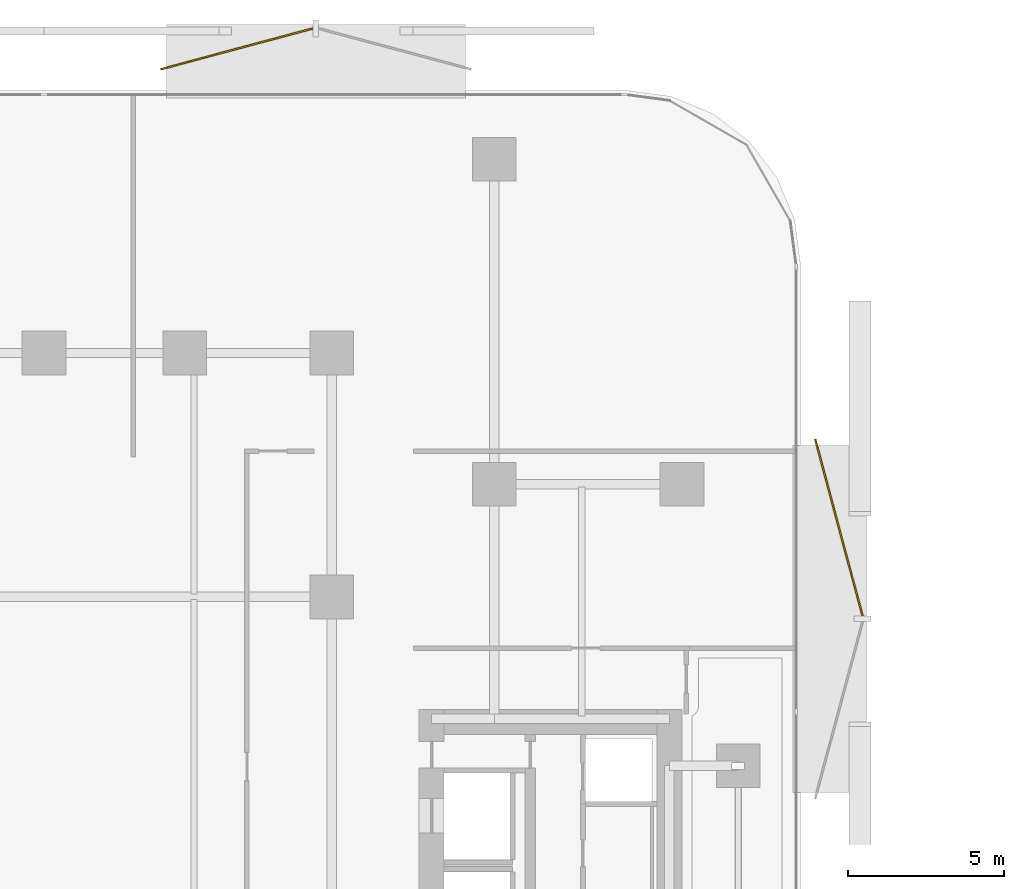
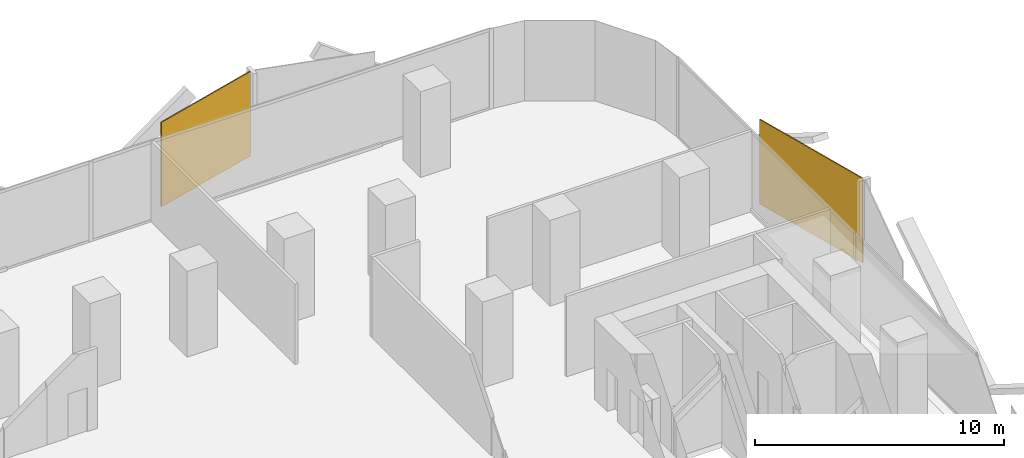
# One storey, part 16 of 16: 2 coverings.
"""IFC4 building model written with IfcOpenShell, lengths in metres."""

from ifc_helpers import new_model, si_unit, direction, frame, origin, origin_2d, place, context, subcontext, project, spatial, rectangle, extrude, material, layer, layer_set, type_object, element, save


model = new_model("IFC4")

# Units and contexts
model_context = context("Model", 3, precision=1e-05, world=origin(), true_north=direction((0.0, 1.0)))
body_context = subcontext(model_context, "Body", "Model", "MODEL_VIEW")
ifc_project = project(units=[si_unit("LENGTHUNIT", "METRE"), si_unit("AREAUNIT", "SQUARE_METRE"), si_unit("VOLUMEUNIT", "CUBIC_METRE"), si_unit("PLANEANGLEUNIT", "RADIAN"), si_unit("MASSUNIT", "GRAM", prefix="KILO")], contexts=[model_context])

# Site, building, storey
site_placement = place(None, origin())
site = spatial("IfcSite", under=ifc_project, at=site_placement, CompositionType="ELEMENT")
building_placement = place(site_placement, origin())
building = spatial("IfcBuilding", under=site, at=building_placement, Name="Khairoan Windgate Tower", CompositionType="ELEMENT")
storey_placement = place(building_placement, frame((0.0, 0.0, 26.0)))
storey = spatial("IfcBuildingStorey", under=building, at=storey_placement, Name="L06", CompositionType="ELEMENT", Elevation=26.0)

# Coverings
ifc_material = material(Name="Anodised Bronze Aluminium 6063-T6", Category="aluminium")
ifc_layer = layer(ifc_material, 0.054931640625, Name="Anodised Bronze Aluminium 6063-T6")
ifc_layer_set = layer_set([ifc_layer], Name="Anodised Bronze Aluminium 6063-T6")
covering_type = type_object("IfcCoveringType", Name="Perforated Bronze-Ceramic Folded Solar Screen Cladding BSC-1", PredefinedType="CLADDING", material=ifc_layer_set)
covering_1_placement = place(storey_placement, frame((6.169921875, 28.327392578125, -0.10009765625), z_axis=(0.0, 0.0, 1.0), x_axis=(0.965925826289, 0.258819045103, 0.0)))
element("IfcCovering", 1, at=covering_1_placement, inside=storey, type_object=covering_type, Name="L06 Folded Bronze Solar Screen Facet 6L", PredefinedType="CLADDING", context=body_context, shape_type="SweptSolid", body=[
    extrude(rectangle(XDim=5.04296875, YDim=0.054931640625, at=origin_2d()), origin(), (0.0, 0.0, 1.0), 4.139892578125),
])
covering_2_placement = place(storey_placement, frame((25.42236328125, 13.01318359375, -0.10009765625), z_axis=(0.0, 0.0, 1.0), x_axis=(0.258819045103, -0.965925826289, 0.0)))
element("IfcCovering", 2, at=covering_2_placement, inside=storey, type_object=covering_type, Name="L06 Folded Bronze Solar Screen Facet 7L", PredefinedType="CLADDING", context=body_context, shape_type="SweptSolid", body=[
    extrude(rectangle(XDim=5.85498046875, YDim=0.054931640625, at=origin_2d()), origin(), (0.0, 0.0, 1.0), 4.139892578125),
])

save(model, "model.ifc")
